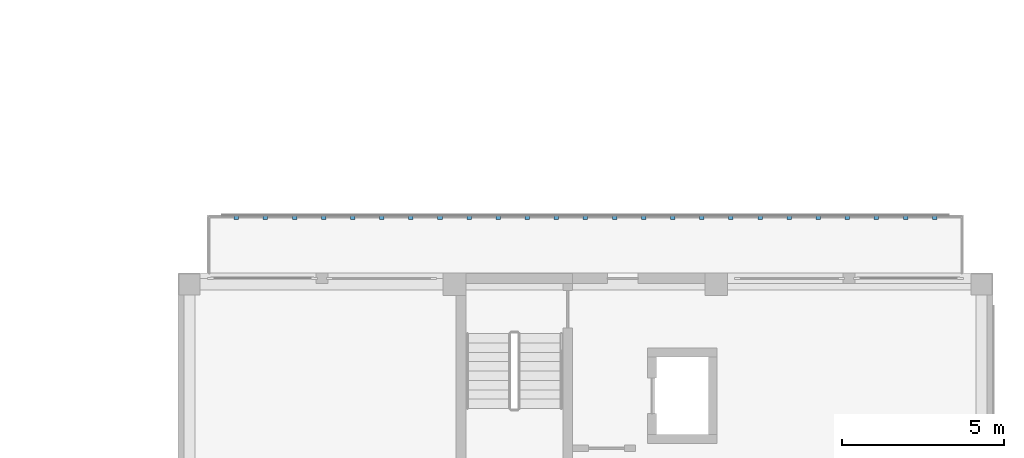
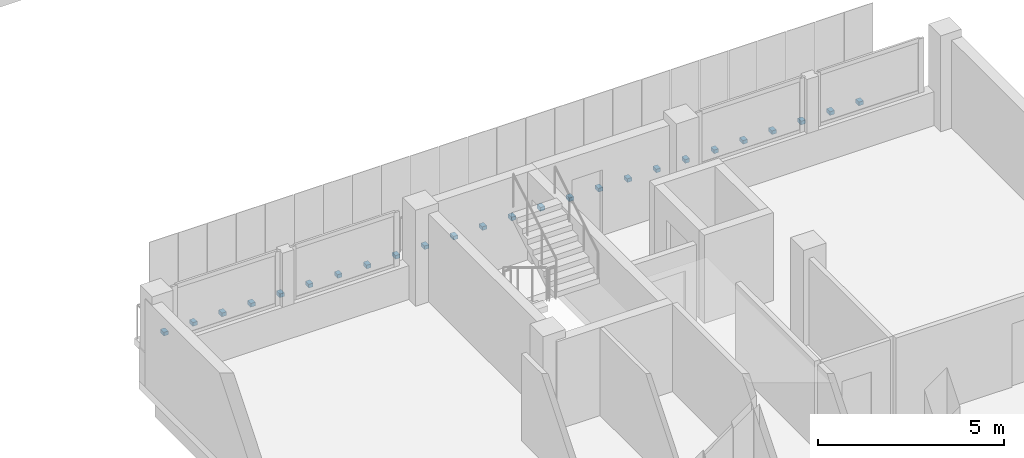
# One storey, part 41 of 56: 25 discrete accessories.
"""IFC4 building model written with IfcOpenShell, lengths in metres."""

from ifc_helpers import new_model, si_unit, derived_unit, direction, frame, origin, origin_2d, place, context, subcontext, project, spatial, rectangle, extrude, material, type_object, element, save


model = new_model("IFC4")

# Units and contexts
model_context = context("Model", 3, precision=1e-05, world=origin(), true_north=direction((0.0, 1.0)))
body_context = subcontext(model_context, "Body", "Model", "MODEL_VIEW")
ifc_project = project(units=[si_unit("LENGTHUNIT", "METRE"), si_unit("AREAUNIT", "SQUARE_METRE"), si_unit("VOLUMEUNIT", "CUBIC_METRE"), si_unit("PLANEANGLEUNIT", "RADIAN"), si_unit("MASSUNIT", "GRAM", prefix="KILO"), derived_unit("THERMALTRANSMITTANCEUNIT", [(si_unit("MASSUNIT", "GRAM", prefix="KILO"), 1), (si_unit("TIMEUNIT", "SECOND"), -3), (si_unit("THERMODYNAMICTEMPERATUREUNIT", "KELVIN"), -1)])], contexts=[model_context])

# Site, building, storey
site_placement = place(None, origin())
site = spatial("IfcSite", under=ifc_project, at=site_placement, CompositionType="ELEMENT")
building_placement = place(site_placement, origin())
building = spatial("IfcBuilding", under=site, at=building_placement, Name="Ochrekiln Boulevard Commons", CompositionType="ELEMENT")
storey_placement = place(building_placement, frame((0.0, 0.0, 12.074951171875)))
storey = spatial("IfcBuildingStorey", under=building, at=storey_placement, Name="L03", CompositionType="ELEMENT", Elevation=12.074951171875)

# Discrete accessories
ifc_material = material(Name="Steel A992 Grade 50", Category="steel")
discrete_accessory_type = type_object("IfcDiscreteAccessoryType", Name="ACC-BRK-CLEAT", PredefinedType="BRACKET", material=ifc_material)
for number, where, z_axis, x_axis, name in (
    (1, (149.39990234375, 52.139892578125, -0.139892578125), (0.0, 0.0, 1.0), (1.0, 0.0, 0.0), "Bronze Screen Slab-Edge Support Bracket 51"),
    (2, (150.300048828125, 52.139892578125, -0.139892578125), (0.0, 0.0, 1.0), (1.0, 0.0, 0.0), "Bronze Screen Slab-Edge Support Bracket 52"),
    (3, (151.199951171875, 52.139892578125, -0.139892578125), (0.0, 0.0, 1.0), (1.0, 0.0, 0.0), "Bronze Screen Slab-Edge Support Bracket 53"),
    (4, (152.10009765625, 52.139892578125, -0.139892578125), (0.0, 0.0, 1.0), (1.0, 0.0, 0.0), "Bronze Screen Slab-Edge Support Bracket 54"),
    (5, (153.0, 52.139892578125, -0.139892578125), (0.0, 0.0, 1.0), (1.0, 0.0, 0.0), "Bronze Screen Slab-Edge Support Bracket 55"),
    (6, (153.89990234375, 52.139892578125, -0.139892578125), (0.0, 0.0, 1.0), (1.0, 0.0, 0.0), "Bronze Screen Slab-Edge Support Bracket 56"),
    (7, (154.800048828125, 52.139892578125, -0.139892578125), (0.0, 0.0, 1.0), (1.0, 0.0, 0.0), "Bronze Screen Slab-Edge Support Bracket 57"),
    (8, (155.699951171875, 52.139892578125, -0.139892578125), (0.0, 0.0, 1.0), (1.0, 0.0, 0.0), "Bronze Screen Slab-Edge Support Bracket 58"),
    (9, (156.60009765625, 52.139892578125, -0.139892578125), (0.0, 0.0, 1.0), (1.0, 0.0, 0.0), "Bronze Screen Slab-Edge Support Bracket 59"),
    (10, (157.5, 52.139892578125, -0.139892578125), (0.0, 0.0, 1.0), (1.0, 0.0, 0.0), "Bronze Screen Slab-Edge Support Bracket 60"),
    (11, (158.39990234375, 52.139892578125, -0.139892578125), (0.0, 0.0, 1.0), (1.0, 0.0, 0.0), "Bronze Screen Slab-Edge Support Bracket 61"),
    (12, (159.300048828125, 52.139892578125, -0.139892578125), (0.0, 0.0, 1.0), (1.0, 0.0, 0.0), "Bronze Screen Slab-Edge Support Bracket 62"),
    (13, (160.199951171875, 52.139892578125, -0.139892578125), (0.0, 0.0, 1.0), (1.0, 0.0, 0.0), "Bronze Screen Slab-Edge Support Bracket 63"),
    (14, (161.10009765625, 52.139892578125, -0.139892578125), (0.0, 0.0, 1.0), (1.0, 0.0, 0.0), "Bronze Screen Slab-Edge Support Bracket 64"),
    (15, (162.0, 52.139892578125, -0.139892578125), (0.0, 0.0, 1.0), (1.0, 0.0, 0.0), "Bronze Screen Slab-Edge Support Bracket 65"),
    (16, (162.89990234375, 52.139892578125, -0.139892578125), (0.0, 0.0, 1.0), (1.0, 0.0, 0.0), "Bronze Screen Slab-Edge Support Bracket 66"),
    (17, (163.800048828125, 52.139892578125, -0.139892578125), (0.0, 0.0, 1.0), (1.0, 0.0, 0.0), "Bronze Screen Slab-Edge Support Bracket 67"),
    (18, (164.699951171875, 52.139892578125, -0.139892578125), (0.0, 0.0, 1.0), (1.0, 0.0, 0.0), "Bronze Screen Slab-Edge Support Bracket 68"),
    (19, (165.60009765625, 52.139892578125, -0.139892578125), (0.0, 0.0, 1.0), (1.0, 0.0, 0.0), "Bronze Screen Slab-Edge Support Bracket 69"),
    (20, (166.5, 52.139892578125, -0.139892578125), (0.0, 0.0, 1.0), (1.0, 0.0, 0.0), "Bronze Screen Slab-Edge Support Bracket 70"),
    (21, (167.39990234375, 52.139892578125, -0.139892578125), (0.0, 0.0, 1.0), (1.0, 0.0, 0.0), "Bronze Screen Slab-Edge Support Bracket 71"),
    (22, (168.300048828125, 52.139892578125, -0.139892578125), (0.0, 0.0, 1.0), (1.0, 0.0, 0.0), "Bronze Screen Slab-Edge Support Bracket 72"),
    (23, (169.199951171875, 52.139892578125, -0.139892578125), (0.0, 0.0, 1.0), (1.0, 0.0, 0.0), "Bronze Screen Slab-Edge Support Bracket 73"),
    (24, (170.10009765625, 52.139892578125, -0.139892578125), (0.0, 0.0, 1.0), (1.0, 0.0, 0.0), "Bronze Screen Slab-Edge Support Bracket 74"),
    (25, (171.0, 52.139892578125, -0.139892578125), (0.0, 0.0, 1.0), (1.0, 0.0, 0.0), "Bronze Screen Slab-Edge Support Bracket 75"),
):
    element("IfcDiscreteAccessory", number, at=place(storey_placement, frame(where, z_axis=z_axis, x_axis=x_axis)), inside=storey, type_object=discrete_accessory_type, Name=name, PredefinedType="BRACKET", context=body_context, shape_type="SweptSolid", body=[
        extrude(rectangle(XDim=0.139892578125, YDim=0.179931640625, at=origin_2d()), origin(), (0.0, 0.0, 1.0), 0.1201171875),
    ])

save(model, "model.ifc")
